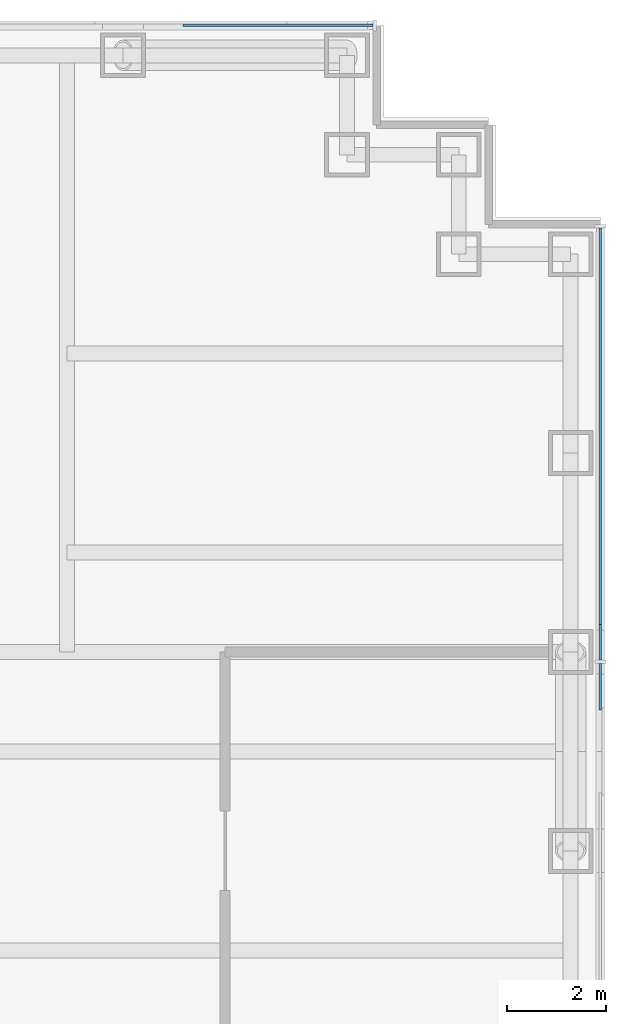
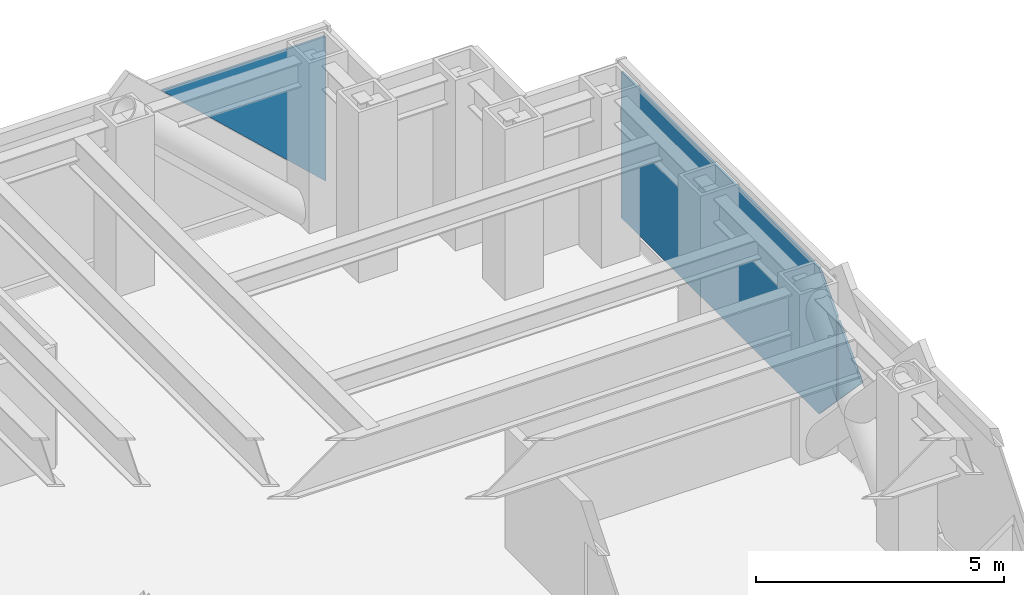
# One storey, part 11 of 18: 3 plates, 2 elements without a shape of their own.
"""IFC4 building model written with IfcOpenShell, lengths in metres."""

from ifc_helpers import new_model, si_unit, direction, frame, origin, place, context, subcontext, project, spatial, polyline, outline, extrude, material, layer, layer_set, type_object, element, aggregate, save


model = new_model("IFC4")

# Units and contexts
model_context = context("Model", 3, precision=1e-05, world=origin(), true_north=direction((0.0, 1.0)))
body_context = subcontext(model_context, "Body", "Model", "MODEL_VIEW")
ifc_project = project(units=[si_unit("LENGTHUNIT", "METRE"), si_unit("AREAUNIT", "SQUARE_METRE"), si_unit("VOLUMEUNIT", "CUBIC_METRE"), si_unit("PLANEANGLEUNIT", "RADIAN"), si_unit("MASSUNIT", "GRAM", prefix="KILO")], contexts=[model_context])

# Site, building, storey
site_placement = place(None, origin())
site = spatial("IfcSite", under=ifc_project, at=site_placement, CompositionType="ELEMENT")
building_placement = place(site_placement, origin())
building = spatial("IfcBuilding", under=site, at=building_placement, Name="Rheinbord Bourse Tower", CompositionType="ELEMENT")
storey_placement = place(building_placement, frame((0.0, 0.0, 244.60009765625)))
storey = spatial("IfcBuildingStorey", under=building, at=storey_placement, Name="L55", CompositionType="ELEMENT", Elevation=244.60009765625)

# Curtain wall, plates
ifc_material_1 = material(Name="Dark glass and black aluminium", Category="aluminium")
curtain_wall_type = type_object("IfcCurtainWallType", Name="CW2 DARK GLASS CURTAIN WALL", PredefinedType="USERDEFINED", material=ifc_material_1)
curtain_wall_1_placement = place(storey_placement, origin())
curtain_wall_1 = element("IfcCurtainWall", 1, at=curtain_wall_1_placement, inside=storey, type_object=curtain_wall_type, Name="Curtain wall CW2 E L55", ObjectType="UNITISED CURTAIN WALL", PredefinedType="USERDEFINED")
ifc_material_2 = material(Name="Dark tinted triple insulating glass", Category="glass")
ifc_layer = layer(ifc_material_2, 0.050048828125)
ifc_layer_set = layer_set([ifc_layer], Name="CW2 DARK GLASS PANEL")
plate_type = type_object("IfcPlateType", Name="CW2 DARK GLASS PANEL", PredefinedType="CURTAIN_PANEL", material=ifc_layer_set)
plate_1_placement = place(storey_placement, frame((72.625, 31.764892578125, 1.1240234375), z_axis=(-1.0, 0.0, 0.0), x_axis=(0.0, -0.689876745302, 0.723926844572)))
plate_1 = element("IfcPlate", 2, at=plate_1_placement, type_object=plate_type, Name="CW2 glass facet 4", PredefinedType="CURTAIN_PANEL", context=body_context, shape_type="SweptSolid", body=[
    extrude(outline(polyline([(0.0, 0.0), (1.347900390625, 0.0), (1.4130859375, 1.3466796875), (0.0, 0.0)])), origin(), (0.0, 0.0, 1.0), 0.050048828125),
])
plate_2_placement = place(storey_placement, frame((72.625, 40.530029296875, 3.89990234375), z_axis=(-1.0, 0.0, 0.0), x_axis=(0.0, 0.0, -1.0)))
plate_2 = element("IfcPlate", 3, at=plate_2_placement, type_object=plate_type, Name="CW2 glass facet 1", PredefinedType="CURTAIN_PANEL", context=body_context, shape_type="SweptSolid", body=[
    extrude(outline(polyline([(0.0, 0.0), (3.60009765625, 0.0), (3.60009765625, 7.97998046875), (2.85009765625, 8.695068359375), (0.7509765625, 8.695068359375), (0.0, 7.97998046875), (0.0, 0.0)])), origin(), (0.0, 0.0, 1.0), 0.050048828125),
])
aggregate(curtain_wall_1, [plate_1, plate_2])

# Curtain wall, plate
curtain_wall_2_placement = place(storey_placement, origin())
curtain_wall_2 = element("IfcCurtainWall", 4, at=curtain_wall_2_placement, inside=storey, type_object=curtain_wall_type, Name="Curtain wall CW2 N L55", ObjectType="UNITISED CURTAIN WALL", PredefinedType="USERDEFINED")
plate_3_placement = place(storey_placement, frame((68.030029296875, 44.625, 3.89990234375), z_axis=(0.0, -1.0, 0.0), x_axis=(-1.0, 0.0, 0.0)))
plate_3 = element("IfcPlate", 5, at=plate_3_placement, type_object=plate_type, Name="CW2 glass facet 1", PredefinedType="CURTAIN_PANEL", context=body_context, shape_type="SweptSolid", body=[
    extrude(outline(polyline([(0.0, 0.0), (3.822021484375, 0.0), (0.0, 3.56689453125), (0.0, 0.0)])), origin(), (0.0, 0.0, 1.0), 0.050048828125),
])
aggregate(curtain_wall_2, [plate_3])

save(model, "model.ifc")
